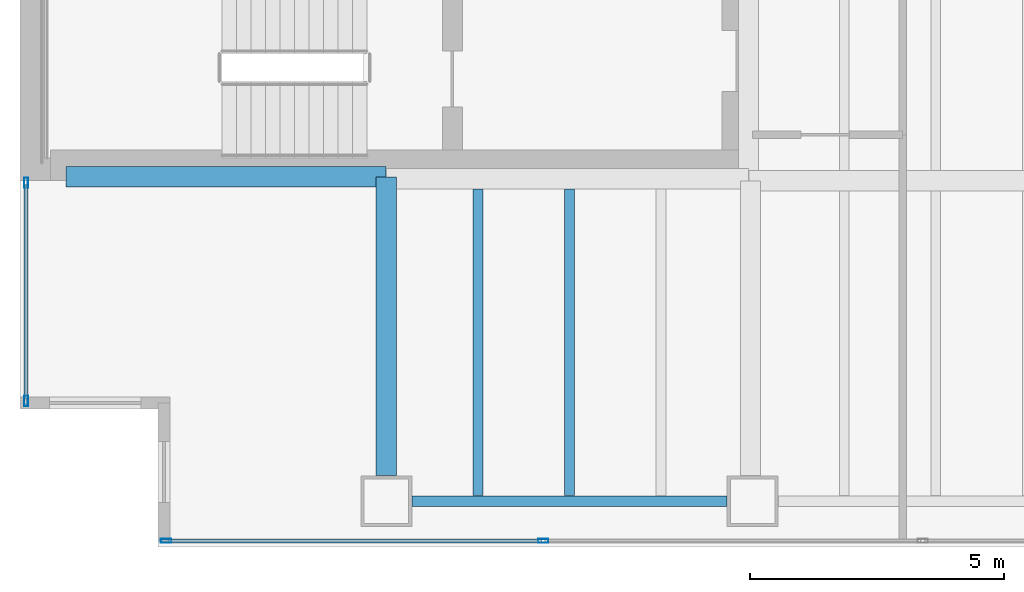
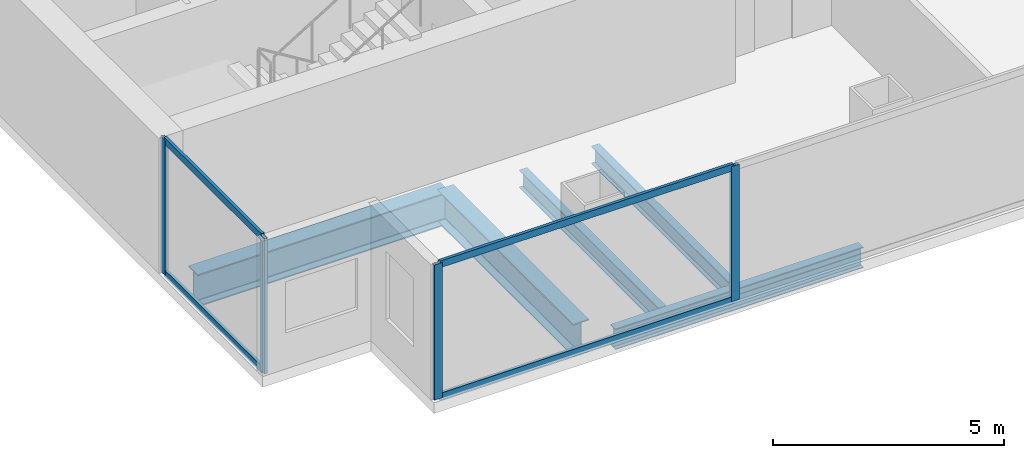
# One storey, part 2 of 23: 8 members, 5 beams, 2 elements without a shape of their own.
"""IFC4 building model written with IfcOpenShell, lengths in metres."""

from ifc_helpers import new_model, si_unit, direction, frame, origin, origin_2d, place, context, subcontext, project, spatial, hollow_rectangle, i_section, extrude, material, material_profile, profile_set, type_object, element, aggregate, save


model = new_model("IFC4")

# Units and contexts
model_context = context("Model", 3, precision=1e-05, world=origin(), true_north=direction((0.0, 1.0)))
body_context = subcontext(model_context, "Body", "Model", "MODEL_VIEW")
ifc_project = project(units=[si_unit("LENGTHUNIT", "METRE"), si_unit("AREAUNIT", "SQUARE_METRE"), si_unit("VOLUMEUNIT", "CUBIC_METRE"), si_unit("PLANEANGLEUNIT", "RADIAN"), si_unit("MASSUNIT", "GRAM", prefix="KILO")], contexts=[model_context])

# Site, building, storey
site_placement = place(None, origin())
site = spatial("IfcSite", under=ifc_project, at=site_placement, CompositionType="ELEMENT")
building_placement = place(site_placement, origin())
building = spatial("IfcBuilding", under=site, at=building_placement, Name="Cobrela Telecom Tower", CompositionType="ELEMENT")
storey_placement = place(building_placement, frame((0.0, 0.0, 65.800048828125)))
storey = spatial("IfcBuildingStorey", under=building, at=storey_placement, Name="L16", CompositionType="ELEMENT", Elevation=65.800048828125)

# Beams
ifc_material_1 = material(Name="Steel ASTM A992 Grade 50", Category="steel")
ifc_material_profile_1 = material_profile(ifc_material_1, i_section(OverallWidth=0.39892578125, OverallDepth=0.85595703125, WebThickness=0.018310546875, FlangeThickness=0.029296875, FilletRadius=0.02001953125, at=origin_2d()), Name="W33X201")
ifc_profile_set_1 = profile_set([ifc_material_profile_1], Name="Steel ASTM A992 Grade 50")
beam_type_1 = type_object("IfcBeamType", Name="BM-GIRD-03", PredefinedType="USERDEFINED", material=ifc_profile_set_1)
beam_1_placement = place(storey_placement, frame((0.905029296875, 7.280029296875, -0.7080078125), z_axis=(1.0, 0.0, 0.0), x_axis=(0.0, 1.0, 0.0)))
element("IfcBeam", 1, at=beam_1_placement, inside=storey, type_object=beam_type_1, Name="L16 Primary Girder X06", ObjectType="GIRDER", PredefinedType="USERDEFINED", context=body_context, shape_type="SweptSolid", body=[
    extrude(i_section(OverallWidth=0.39892578125, OverallDepth=0.85595703125, WebThickness=0.018310546875, FlangeThickness=0.029296875, FilletRadius=0.02001953125, at=origin_2d()), origin(), (0.0, 0.0, 1.0), 6.2900390625),
])
beam_2_placement = place(storey_placement, frame((7.199951171875, 1.405029296875, -0.7080078125), z_axis=(0.0, 1.0, 0.0), x_axis=(-1.0, 0.0, 0.0)))
element("IfcBeam", 2, at=beam_2_placement, inside=storey, type_object=beam_type_1, Name="L16 Primary Girder Y32", ObjectType="GIRDER", PredefinedType="USERDEFINED", context=body_context, shape_type="SweptSolid", body=[
    extrude(i_section(OverallWidth=0.39892578125, OverallDepth=0.85595703125, WebThickness=0.018310546875, FlangeThickness=0.029296875, FilletRadius=0.02001953125, at=origin_2d()), origin(), (0.0, 0.0, 1.0), 5.869873046875),
])
ifc_material_profile_2 = material_profile(ifc_material_1, i_section(OverallWidth=0.193115234375, OverallDepth=0.467041015625, WebThickness=0.011474609375, FlangeThickness=0.01904296875, FilletRadius=0.012939453125, at=origin_2d()), Name="W18X65")
ifc_profile_set_2 = profile_set([ifc_material_profile_2], Name="Steel ASTM A992 Grade 50")
beam_type_2 = type_object("IfcBeamType", Name="BM-JOIST-03", PredefinedType="JOIST", material=ifc_profile_set_2)
for number, where, z_axis, x_axis, name in (
    (3, (9.0, 1.011474609375, -0.513427734375), (0.0, 1.0, 0.0), (-1.0, 0.0, 0.0), "L16 Secondary Composite Floor Beam J01"),
    (4, (10.800048828125, 1.011474609375, -0.513427734375), (0.0, 1.0, 0.0), (-1.0, 0.0, 0.0), "L16 Secondary Composite Floor Beam J03"),
):
    element("IfcBeam", number, at=place(storey_placement, frame(where, z_axis=z_axis, x_axis=x_axis)), inside=storey, type_object=beam_type_2, Name=name, PredefinedType="JOIST", context=body_context, shape_type="SweptSolid", body=[
        extrude(i_section(OverallWidth=0.193115234375, OverallDepth=0.467041015625, WebThickness=0.011474609375, FlangeThickness=0.01904296875, FilletRadius=0.012939453125, at=origin_2d()), origin(), (0.0, 0.0, 1.0), 6.02392578125),
    ])
ifc_material_profile_3 = material_profile(ifc_material_1, i_section(OverallWidth=0.212890625, OverallDepth=0.549072265625, WebThickness=0.0146484375, FlangeThickness=0.023681640625, FilletRadius=0.013916015625, at=origin_2d()), Name="W21X93")
ifc_profile_set_3 = profile_set([ifc_material_profile_3], Name="Steel ASTM A992 Grade 50")
beam_type_3 = type_object("IfcBeamType", Name="BM-SPAND-03", PredefinedType="SPANDREL", material=ifc_profile_set_3)
beam_3_placement = place(storey_placement, frame((7.705078125, 0.89990234375, -0.554443359375), z_axis=(1.0, 0.0, 0.0), x_axis=(0.0, 1.0, 0.0)))
element("IfcBeam", 5, at=beam_3_placement, inside=storey, type_object=beam_type_3, Name="L16 Perimeter Spandrel X01", PredefinedType="SPANDREL", context=body_context, shape_type="SweptSolid", body=[
    extrude(i_section(OverallWidth=0.212890625, OverallDepth=0.549072265625, WebThickness=0.0146484375, FlangeThickness=0.023681640625, FilletRadius=0.013916015625, at=origin_2d()), origin(), (0.0, 0.0, 1.0), 6.18994140625),
])

# Curtain wall, members
ifc_material_2 = material(Name="Anodized Bronze Aluminium 6063-T6", Category="aluminium")
curtain_wall_type = type_object("IfcCurtainWallType", Name="CW-SYS-DATA", PredefinedType="USERDEFINED", material=ifc_material_2)
curtain_wall_1_placement = place(storey_placement, origin())
curtain_wall_1 = element("IfcCurtainWall", 6, at=curtain_wall_1_placement, inside=storey, type_object=curtain_wall_type, Name="L16 Unitised Bronze Curtain Wall 03", ObjectType="UNITISED CURTAIN WALL", PredefinedType="USERDEFINED")
ifc_material_profile_4 = material_profile(ifc_material_2, hollow_rectangle(XDim=0.080078125, YDim=0.199951171875, WallThickness=0.00390625, at=origin_2d()), Name="ALU 80x200x4")
ifc_profile_set_4 = profile_set([ifc_material_profile_4], Name="Anodized Bronze Aluminium 6063-T6")
member_type_1 = type_object("IfcMemberType", Name="CW-SYS-DATA-MUL", PredefinedType="MULLION", material=ifc_profile_set_4)
member_1_placement = place(storey_placement, frame((0.1201171875, 2.8701171875, 0.0), z_axis=(0.0, 0.0, 1.0), x_axis=(-1.0, 0.0, 0.0)))
member_1 = element("IfcMember", 7, at=member_1_placement, type_object=member_type_1, Name="CW-DATA mullion 1", PredefinedType="MULLION", context=body_context, shape_type="SweptSolid", body=[
    extrude(hollow_rectangle(XDim=0.080078125, YDim=0.199951171875, WallThickness=0.00390625, at=origin_2d()), origin(), (0.0, 0.0, 1.0), 3.570068359375),
])
member_2_placement = place(storey_placement, frame((0.1201171875, 7.159912109375, 0.0), z_axis=(0.0, 0.0, 1.0), x_axis=(-1.0, 0.0, 0.0)))
member_2 = element("IfcMember", 8, at=member_2_placement, type_object=member_type_1, Name="CW-DATA mullion 2", PredefinedType="MULLION", context=body_context, shape_type="SweptSolid", body=[
    extrude(hollow_rectangle(XDim=0.080078125, YDim=0.199951171875, WallThickness=0.00390625, at=origin_2d()), origin(), (0.0, 0.0, 1.0), 3.570068359375),
])

curtain_wall_2_placement = place(storey_placement, origin())
curtain_wall_2 = element("IfcCurtainWall", 9, at=curtain_wall_2_placement, inside=storey, type_object=curtain_wall_type, Name="L16 Unitised Bronze Curtain Wall 17", ObjectType="UNITISED CURTAIN WALL", PredefinedType="USERDEFINED")
member_3_placement = place(storey_placement, frame((10.28662109375, 0.1201171875, 0.0), z_axis=(0.0, 0.0, 1.0), x_axis=(0.0, -1.0, 0.0)))
member_3 = element("IfcMember", 10, at=member_3_placement, type_object=member_type_1, Name="CW-DATA mullion 6", PredefinedType="MULLION", context=body_context, shape_type="SweptSolid", body=[
    extrude(hollow_rectangle(XDim=0.080078125, YDim=0.199951171875, WallThickness=0.00390625, at=origin_2d()), origin(), (0.0, 0.0, 1.0), 3.570068359375),
])
member_4_placement = place(storey_placement, frame((2.8701171875, 0.1201171875, 0.0), z_axis=(0.0, 0.0, 1.0), x_axis=(0.0, -1.0, 0.0)))
member_4 = element("IfcMember", 11, at=member_4_placement, type_object=member_type_1, Name="CW-DATA mullion 7", PredefinedType="MULLION", context=body_context, shape_type="SweptSolid", body=[
    extrude(hollow_rectangle(XDim=0.080078125, YDim=0.199951171875, WallThickness=0.00390625, at=origin_2d()), origin(), (0.0, 0.0, 1.0), 3.570068359375),
])

# Member
ifc_material_profile_5 = material_profile(ifc_material_2, hollow_rectangle(XDim=0.074951171875, YDim=0.179931640625, WallThickness=0.00390625, at=origin_2d()), Name="ALU 75x180x4")
ifc_profile_set_5 = profile_set([ifc_material_profile_5], Name="Anodized Bronze Aluminium 6063-T6")
member_type_2 = type_object("IfcMemberType", Name="CW-SYS-DATA-TRN", PredefinedType="USERDEFINED", material=ifc_profile_set_5)
member_5_placement = place(storey_placement, frame((0.1201171875, 2.909912109375, 0.037353515625), z_axis=(0.0, 1.0, 0.0), x_axis=(-1.0, 0.0, 0.0)))
member_5 = element("IfcMember", 12, at=member_5_placement, type_object=member_type_2, Name="CW-DATA transom 1.1", ObjectType="TRANSOM", PredefinedType="USERDEFINED", context=body_context, shape_type="SweptSolid", body=[
    extrude(hollow_rectangle(XDim=0.074951171875, YDim=0.179931640625, WallThickness=0.00390625, at=origin_2d()), origin(), (0.0, 0.0, 1.0), 4.210205078125),
])

member_6_placement = place(storey_placement, frame((0.1201171875, 2.909912109375, 3.532470703125), z_axis=(0.0, 1.0, 0.0), x_axis=(-1.0, 0.0, 0.0)))
member_6 = element("IfcMember", 13, at=member_6_placement, type_object=member_type_2, Name="CW-DATA transom 1.2", ObjectType="TRANSOM", PredefinedType="USERDEFINED", context=body_context, shape_type="SweptSolid", body=[
    extrude(hollow_rectangle(XDim=0.074951171875, YDim=0.179931640625, WallThickness=0.00390625, at=origin_2d()), origin(), (0.0, 0.0, 1.0), 4.210205078125),
])

aggregate(curtain_wall_1, [member_1, member_2, member_5, member_6])

member_7_placement = place(storey_placement, frame((10.24658203125, 0.1201171875, 0.037353515625), z_axis=(-1.0, 0.0, 0.0), x_axis=(0.0, -1.0, 0.0)))
member_7 = element("IfcMember", 14, at=member_7_placement, type_object=member_type_2, Name="CW-DATA transom 6.1", ObjectType="TRANSOM", PredefinedType="USERDEFINED", context=body_context, shape_type="SweptSolid", body=[
    extrude(hollow_rectangle(XDim=0.074951171875, YDim=0.179931640625, WallThickness=0.00390625, at=origin_2d()), origin(), (0.0, 0.0, 1.0), 7.336669921875),
])

member_8_placement = place(storey_placement, frame((10.24658203125, 0.1201171875, 3.532470703125), z_axis=(-1.0, 0.0, 0.0), x_axis=(0.0, -1.0, 0.0)))
member_8 = element("IfcMember", 15, at=member_8_placement, type_object=member_type_2, Name="CW-DATA transom 6.2", ObjectType="TRANSOM", PredefinedType="USERDEFINED", context=body_context, shape_type="SweptSolid", body=[
    extrude(hollow_rectangle(XDim=0.074951171875, YDim=0.179931640625, WallThickness=0.00390625, at=origin_2d()), origin(), (0.0, 0.0, 1.0), 7.336669921875),
])

aggregate(curtain_wall_2, [member_3, member_4, member_7, member_8])

save(model, "model.ifc")
